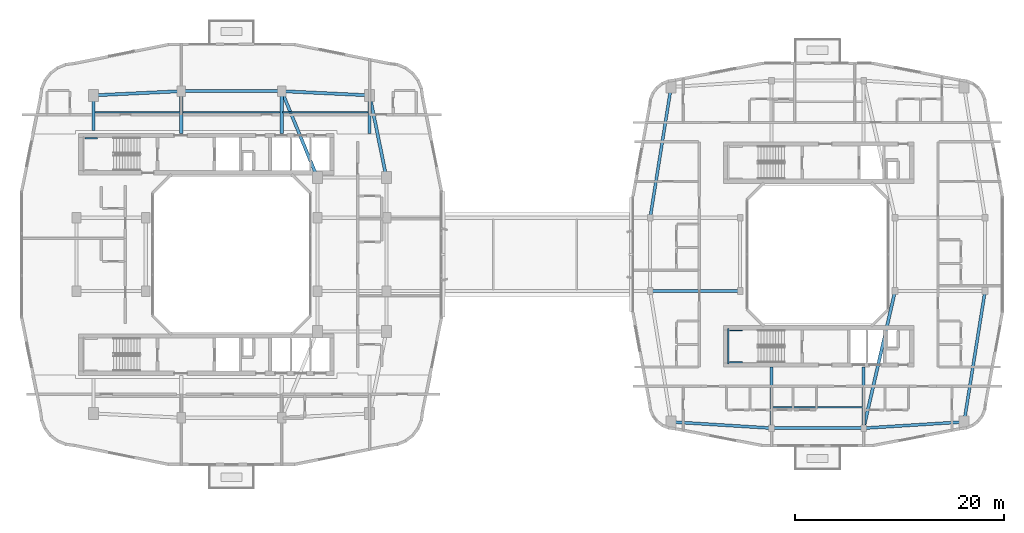
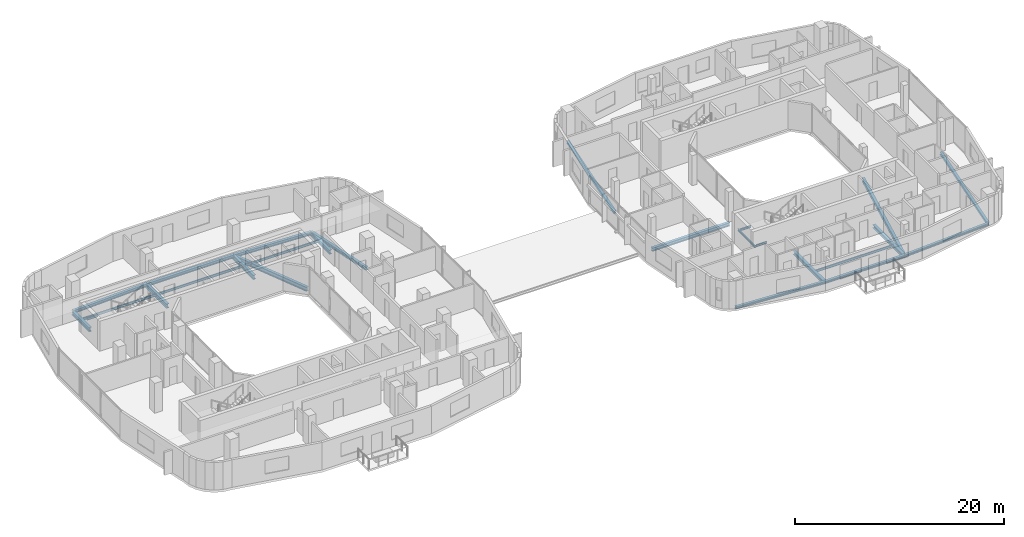
# One storey, part 5 of 22: 26 beams.
"""IFC4 building model written with IfcOpenShell, lengths in metres."""

from ifc_helpers import new_model, si_unit, derived_unit, direction, frame, origin, origin_2d, place, context, subcontext, project, spatial, i_section, extrude, material, material_profile, profile_set, type_object, element, save


model = new_model("IFC4")

# Units and contexts
model_context = context("Model", 3, precision=1e-05, world=origin(), true_north=direction((0.0, 1.0)))
body_context = subcontext(model_context, "Body", "Model", "MODEL_VIEW")
ifc_project = project(units=[si_unit("LENGTHUNIT", "METRE"), si_unit("AREAUNIT", "SQUARE_METRE"), si_unit("VOLUMEUNIT", "CUBIC_METRE"), si_unit("PLANEANGLEUNIT", "RADIAN"), si_unit("MASSUNIT", "GRAM", prefix="KILO"), derived_unit("THERMALTRANSMITTANCEUNIT", [(si_unit("POWERUNIT", "WATT"), 1), (si_unit("LENGTHUNIT", "METRE"), -2), (si_unit("THERMODYNAMICTEMPERATUREUNIT", "KELVIN"), -1)])], contexts=[model_context])

# Site, building, storey
site_placement = place(None, origin())
site = spatial("IfcSite", under=ifc_project, at=site_placement, CompositionType="ELEMENT")
building_placement = place(site_placement, origin())
building = spatial("IfcBuilding", under=site, at=building_placement, Name="Kivonza Crest Hotel", CompositionType="ELEMENT")
storey_placement = place(building_placement, frame((0.0, 0.0, 124.0)))
storey = spatial("IfcBuildingStorey", under=building, at=storey_placement, Name="L33", CompositionType="ELEMENT", Elevation=124.0)

# Beams
ifc_material = material(Name="Steel S355", Category="steel")
ifc_material_profile_1 = material_profile(ifc_material, i_section(OverallWidth=0.280029296875, OverallDepth=0.280029296875, WebThickness=0.010498046875, FlangeThickness=0.01806640625, FilletRadius=0.02392578125, at=origin_2d()), Name="HEB 280")
ifc_profile_set_1 = profile_set([ifc_material_profile_1], Name="Steel S355")
beam_type_1 = type_object("IfcBeamType", Name="BM-HEB280", PredefinedType="SPANDREL", material=ifc_profile_set_1)
beam_1_placement = place(storey_placement, frame((72.60009765625, 8.39990234375, -0.389892578125), z_axis=(1.0, 0.0, 0.0), x_axis=(0.0, 1.0, 0.0)))
element("IfcBeam", 1, at=beam_1_placement, inside=storey, type_object=beam_type_1, Name="Companion Tower T2 L33 perimeter spandrel S1-S2", PredefinedType="SPANDREL", context=body_context, shape_type="SweptSolid", body=[
    extrude(i_section(OverallWidth=0.280029296875, OverallDepth=0.280029296875, WebThickness=0.010498046875, FlangeThickness=0.01806640625, FilletRadius=0.02392578125, at=origin_2d()), origin(), (0.0, 0.0, 1.0), 8.7998046875),
])
beam_2_placement = place(storey_placement, frame((81.39990234375, 8.39990234375, -0.389892578125), z_axis=(0.998051985873, 0.062387767186, 0.0), x_axis=(-0.062387767186, 0.998051985873, 0.0)))
element("IfcBeam", 2, at=beam_2_placement, inside=storey, type_object=beam_type_1, Name="Companion Tower T2 L33 perimeter spandrel S2-SE", PredefinedType="SPANDREL", context=body_context, shape_type="SweptSolid", body=[
    extrude(i_section(OverallWidth=0.280029296875, OverallDepth=0.280029296875, WebThickness=0.010498046875, FlangeThickness=0.01806640625, FilletRadius=0.02392578125, at=origin_2d()), origin(), (0.0, 0.0, 1.0), 9.618896484375),
])
for number, where, z_axis, x_axis, name in (
    (3, (91.0, 9.0, -0.389892578125), (0.157990501107, 0.987440631917, 0.0), (-0.987440631917, 0.157990501107, 0.0), "Companion Tower T2 L33 perimeter spandrel SE-E1"),
    (4, (63.0, 41.0, -0.389892578125), (-0.157990501107, -0.987440631917, 0.0), (0.987440631917, -0.157990501107, 0.0), "Companion Tower T2 L33 perimeter spandrel NW-W2"),
):
    element("IfcBeam", number, at=place(storey_placement, frame(where, z_axis=z_axis, x_axis=x_axis)), inside=storey, type_object=beam_type_1, Name=name, PredefinedType="SPANDREL", context=body_context, shape_type="SweptSolid", body=[
        extrude(i_section(OverallWidth=0.280029296875, OverallDepth=0.280029296875, WebThickness=0.010498046875, FlangeThickness=0.01806640625, FilletRadius=0.02392578125, at=origin_2d()), origin(), (0.0, 0.0, 1.0), 12.658935546875),
    ])
beam_3_placement = place(storey_placement, frame((63.0, 9.0, -0.389892578125), z_axis=(0.998051985873, -0.062387767186, 0.0), x_axis=(0.062387767186, 0.998051985873, 0.0)))
element("IfcBeam", 5, at=beam_3_placement, inside=storey, type_object=beam_type_1, Name="Companion Tower T2 L33 perimeter spandrel SW-S1", PredefinedType="SPANDREL", context=body_context, shape_type="SweptSolid", body=[
    extrude(i_section(OverallWidth=0.280029296875, OverallDepth=0.280029296875, WebThickness=0.010498046875, FlangeThickness=0.01806640625, FilletRadius=0.02392578125, at=origin_2d()), origin(), (0.0, 0.0, 1.0), 9.618896484375),
])
ifc_material_profile_2 = material_profile(ifc_material, i_section(OverallWidth=0.300048828125, OverallDepth=0.360107421875, WebThickness=0.012451171875, FlangeThickness=0.0224609375, FilletRadius=0.027099609375, at=origin_2d()), Name="HEB 360")
ifc_profile_set_2 = profile_set([ifc_material_profile_2], Name="Steel S355")
beam_type_2 = type_object("IfcBeamType", Name="BM-HEB360", PredefinedType="SPANDREL", material=ifc_profile_set_2)
beam_4_placement = place(storey_placement, frame((35.800048828125, 32.35009765625, -0.4599609375), z_axis=(-0.199730733965, 0.979850822273, 0.0), x_axis=(-0.979850822273, -0.199730733965, 0.0)))
element("IfcBeam", 6, at=beam_4_placement, inside=storey, type_object=beam_type_2, Name="Tower T1 L33 perimeter spandrel PNE-NE", PredefinedType="SPANDREL", context=body_context, shape_type="SweptSolid", body=[
    extrude(i_section(OverallWidth=0.300048828125, OverallDepth=0.360107421875, WebThickness=0.012451171875, FlangeThickness=0.0224609375, FilletRadius=0.027099609375, at=origin_2d()), origin(), (0.0, 0.0, 1.0), 8.01123046875),
])
beam_5_placement = place(storey_placement, frame((34.199951171875, 40.199951171875, -0.4599609375), z_axis=(-0.998867283688, 0.047583080799, 0.0), x_axis=(-0.047583080799, -0.998867283688, 0.0)))
element("IfcBeam", 7, at=beam_5_placement, inside=storey, type_object=beam_type_2, Name="Tower T1 L33 perimeter spandrel NE-N2", PredefinedType="SPANDREL", context=body_context, shape_type="SweptSolid", body=[
    extrude(i_section(OverallWidth=0.300048828125, OverallDepth=0.360107421875, WebThickness=0.012451171875, FlangeThickness=0.0224609375, FilletRadius=0.027099609375, at=origin_2d()), origin(), (0.0, 0.0, 1.0), 8.409423828125),
])
beam_6_placement = place(storey_placement, frame((25.800048828125, 40.60009765625, -0.4599609375), z_axis=(-1.0, 0.0, 0.0), x_axis=(0.0, -1.0, 0.0)))
element("IfcBeam", 8, at=beam_6_placement, inside=storey, type_object=beam_type_2, Name="Tower T1 L33 perimeter spandrel N2-N1", PredefinedType="SPANDREL", context=body_context, shape_type="SweptSolid", body=[
    extrude(i_section(OverallWidth=0.300048828125, OverallDepth=0.360107421875, WebThickness=0.012451171875, FlangeThickness=0.0224609375, FilletRadius=0.027099609375, at=origin_2d()), origin(), (0.0, 0.0, 1.0), 9.60009765625),
])
beam_7_placement = place(storey_placement, frame((16.199951171875, 40.60009765625, -0.4599609375), z_axis=(-0.998867283688, -0.047583080799, 0.0), x_axis=(0.047583080799, -0.998867283688, 0.0)))
element("IfcBeam", 9, at=beam_7_placement, inside=storey, type_object=beam_type_2, Name="Tower T1 L33 perimeter spandrel N1-NW", PredefinedType="SPANDREL", context=body_context, shape_type="SweptSolid", body=[
    extrude(i_section(OverallWidth=0.300048828125, OverallDepth=0.360107421875, WebThickness=0.012451171875, FlangeThickness=0.0224609375, FilletRadius=0.027099609375, at=origin_2d()), origin(), (0.0, 0.0, 1.0), 8.409423828125),
])
ifc_material_profile_3 = material_profile(ifc_material, i_section(OverallWidth=0.300048828125, OverallDepth=0.39990234375, WebThickness=0.013427734375, FlangeThickness=0.02392578125, FilletRadius=0.027099609375, at=origin_2d()), Name="HEB 400")
ifc_profile_set_3 = profile_set([ifc_material_profile_3], Name="Steel S355")
beam_type_3 = type_object("IfcBeamType", Name="BM-HEB400", PredefinedType="BEAM", material=ifc_profile_set_3)
beam_8_placement = place(storey_placement, frame((61.0, 21.5, -0.449951171875), z_axis=(1.0, 0.0, 0.0), x_axis=(0.0, 1.0, 0.0)))
element("IfcBeam", 10, at=beam_8_placement, inside=storey, type_object=beam_type_3, Name="Companion Tower T2 L33 girder W1-WL1", PredefinedType="BEAM", context=body_context, shape_type="SweptSolid", body=[
    extrude(i_section(OverallWidth=0.300048828125, OverallDepth=0.39990234375, WebThickness=0.013427734375, FlangeThickness=0.02392578125, FilletRadius=0.027099609375, at=origin_2d()), origin(), (0.0, 0.0, 1.0), 8.60009765625),
])
beam_9_placement = place(storey_placement, frame((84.39990234375, 21.5, -0.449951171875), z_axis=(-0.223227287589, -0.974766422317, 0.0), x_axis=(0.974766422317, -0.223227287589, 0.0)))
element("IfcBeam", 11, at=beam_9_placement, inside=storey, type_object=beam_type_3, Name="Companion Tower T2 L33 girder WR1-S2", PredefinedType="BEAM", context=body_context, shape_type="SweptSolid", body=[
    extrude(i_section(OverallWidth=0.300048828125, OverallDepth=0.39990234375, WebThickness=0.013427734375, FlangeThickness=0.02392578125, FilletRadius=0.027099609375, at=origin_2d()), origin(), (0.0, 0.0, 1.0), 13.439208984375),
])
for number, where, z_axis, x_axis, name in (
    (12, (72.60009765625, 8.39990234375, -0.449951171875), (0.0, 1.0, 0.0), (-1.0, 0.0, 0.0), "Companion T2 L33 radial core girder RS1"),
    (13, (81.39990234375, 8.39990234375, -0.449951171875), (0.0, 1.0, 0.0), (-1.0, 0.0, 0.0), "Companion T2 L33 radial core girder RS2"),
):
    element("IfcBeam", number, at=place(storey_placement, frame(where, z_axis=z_axis, x_axis=x_axis)), inside=storey, type_object=beam_type_3, Name=name, PredefinedType="BEAM", context=body_context, shape_type="SweptSolid", body=[
        extrude(i_section(OverallWidth=0.300048828125, OverallDepth=0.39990234375, WebThickness=0.013427734375, FlangeThickness=0.02392578125, FilletRadius=0.027099609375, at=origin_2d()), origin(), (0.0, 0.0, 1.0), 5.85009765625),
    ])
ifc_material_profile_4 = material_profile(ifc_material, i_section(OverallWidth=0.300048828125, OverallDepth=0.5, WebThickness=0.014404296875, FlangeThickness=0.028076171875, FilletRadius=0.027099609375, at=origin_2d()), Name="HEB 500")
ifc_profile_set_4 = profile_set([ifc_material_profile_4], Name="Steel S355")
beam_type_4 = type_object("IfcBeamType", Name="BM-HEB500", PredefinedType="BEAM", material=ifc_profile_set_4)
beam_10_placement = place(storey_placement, frame((25.800048828125, 40.60009765625, -0.530029296875), z_axis=(0.381022260404, -0.924565864109, 0.0), x_axis=(0.924565864109, 0.381022260404, 0.0)))
element("IfcBeam", 14, at=beam_10_placement, inside=storey, type_object=beam_type_4, Name="Tower T1 L33 primary girder N1-TNE", PredefinedType="BEAM", context=body_context, shape_type="SweptSolid", body=[
    extrude(i_section(OverallWidth=0.300048828125, OverallDepth=0.5, WebThickness=0.014404296875, FlangeThickness=0.028076171875, FilletRadius=0.027099609375, at=origin_2d()), origin(), (0.0, 0.0, 1.0), 8.923095703125),
])
beam_11_placement = place(storey_placement, frame((7.800048828125, 40.199951171875, -0.530029296875), z_axis=(0.0, -1.0, 0.0), x_axis=(1.0, 0.0, 0.0)))
element("IfcBeam", 15, at=beam_11_placement, inside=storey, type_object=beam_type_4, Name="Tower T1 L33 radial core girder RNW", PredefinedType="BEAM", context=body_context, shape_type="SweptSolid", body=[
    extrude(i_section(OverallWidth=0.300048828125, OverallDepth=0.5, WebThickness=0.014404296875, FlangeThickness=0.028076171875, FilletRadius=0.027099609375, at=origin_2d()), origin(), (0.0, 0.0, 1.0), 3.349853515625),
])
for number, where, z_axis, x_axis, name in (
    (16, (16.199951171875, 40.60009765625, -0.530029296875), (0.0, -1.0, 0.0), (1.0, 0.0, 0.0), "Tower T1 L33 radial core girder RN1"),
    (17, (25.800048828125, 40.60009765625, -0.530029296875), (0.0, -1.0, 0.0), (1.0, 0.0, 0.0), "Tower T1 L33 radial core girder RN2"),
):
    element("IfcBeam", number, at=place(storey_placement, frame(where, z_axis=z_axis, x_axis=x_axis)), inside=storey, type_object=beam_type_4, Name=name, PredefinedType="BEAM", context=body_context, shape_type="SweptSolid", body=[
        extrude(i_section(OverallWidth=0.300048828125, OverallDepth=0.5, WebThickness=0.014404296875, FlangeThickness=0.028076171875, FilletRadius=0.027099609375, at=origin_2d()), origin(), (0.0, 0.0, 1.0), 4.050048828125),
    ])
beam_12_placement = place(storey_placement, frame((34.199951171875, 40.199951171875, -0.530029296875), z_axis=(0.0, -1.0, 0.0), x_axis=(1.0, 0.0, 0.0)))
element("IfcBeam", 18, at=beam_12_placement, inside=storey, type_object=beam_type_4, Name="Tower T1 L33 radial core girder RNE", PredefinedType="BEAM", context=body_context, shape_type="SweptSolid", body=[
    extrude(i_section(OverallWidth=0.300048828125, OverallDepth=0.5, WebThickness=0.014404296875, FlangeThickness=0.028076171875, FilletRadius=0.027099609375, at=origin_2d()), origin(), (0.0, 0.0, 1.0), 3.64990234375),
])
ifc_material_profile_5 = material_profile(ifc_material, i_section(OverallWidth=0.135009765625, OverallDepth=0.27001953125, WebThickness=0.006591796875, FlangeThickness=0.01025390625, FilletRadius=0.014892578125, at=origin_2d()), Name="IPE 270")
ifc_profile_set_5 = profile_set([ifc_material_profile_5], Name="Steel S355")
beam_type_5 = type_object("IfcBeamType", Name="BM-IPE270", PredefinedType="JOIST", material=ifc_profile_set_5)
beam_13_placement = place(storey_placement, frame((7.8798828125, 38.60009765625, -0.4150390625), z_axis=(1.0, 0.0, 0.0), x_axis=(0.0, 1.0, 0.0)))
element("IfcBeam", 19, at=beam_13_placement, inside=storey, type_object=beam_type_5, Name="Tower T1 L33 North-West floor joist", PredefinedType="JOIST", context=body_context, shape_type="SweptSolid", body=[
    extrude(i_section(OverallWidth=0.135009765625, OverallDepth=0.27001953125, WebThickness=0.006591796875, FlangeThickness=0.01025390625, FilletRadius=0.014892578125, at=origin_2d()), origin(), (0.0, 0.0, 1.0), 8.240234375),
])
beam_14_placement = place(storey_placement, frame((16.280029296875, 38.60009765625, -0.4150390625), z_axis=(1.0, 0.0, 0.0), x_axis=(0.0, 1.0, 0.0)))
element("IfcBeam", 20, at=beam_14_placement, inside=storey, type_object=beam_type_5, Name="Tower T1 L33 North-Mid floor joist", PredefinedType="JOIST", context=body_context, shape_type="SweptSolid", body=[
    extrude(i_section(OverallWidth=0.135009765625, OverallDepth=0.27001953125, WebThickness=0.006591796875, FlangeThickness=0.01025390625, FilletRadius=0.014892578125, at=origin_2d()), origin(), (0.0, 0.0, 1.0), 9.43994140625),
])
beam_15_placement = place(storey_placement, frame((25.8798828125, 38.60009765625, -0.4150390625), z_axis=(1.0, 0.0, 0.0), x_axis=(0.0, 1.0, 0.0)))
element("IfcBeam", 21, at=beam_15_placement, inside=storey, type_object=beam_type_5, Name="Tower T1 L33 North-East floor joist", PredefinedType="JOIST", context=body_context, shape_type="SweptSolid", body=[
    extrude(i_section(OverallWidth=0.135009765625, OverallDepth=0.27001953125, WebThickness=0.006591796875, FlangeThickness=0.01025390625, FilletRadius=0.014892578125, at=origin_2d()), origin(), (0.0, 0.0, 1.0), 8.240234375),
])
beam_16_placement = place(storey_placement, frame((72.679931640625, 10.39990234375, -0.385009765625), z_axis=(1.0, 0.0, 0.0), x_axis=(0.0, 1.0, 0.0)))
element("IfcBeam", 22, at=beam_16_placement, inside=storey, type_object=beam_type_5, Name="Companion Tower T2 L33 South floor joist", PredefinedType="JOIST", context=body_context, shape_type="SweptSolid", body=[
    extrude(i_section(OverallWidth=0.135009765625, OverallDepth=0.27001953125, WebThickness=0.006591796875, FlangeThickness=0.01025390625, FilletRadius=0.014892578125, at=origin_2d()), origin(), (0.0, 0.0, 1.0), 8.64013671875),
])
ifc_material_profile_6 = material_profile(ifc_material, i_section(OverallWidth=0.1201171875, OverallDepth=0.239990234375, WebThickness=0.006103515625, FlangeThickness=0.009765625, FilletRadius=0.014892578125, at=origin_2d()), Name="IPE 240")
ifc_profile_set_6 = profile_set([ifc_material_profile_6], Name="Steel S355")
beam_type_6 = type_object("IfcBeamType", Name="BM-LLDG-240", PredefinedType="BEAM", material=ifc_profile_set_6)
beam_17_placement = place(storey_placement, frame((6.989990234375, 36.10009765625, 1.429931640625), z_axis=(1.0, 0.0, 0.0), x_axis=(0.0, 1.0, 0.0)))
element("IfcBeam", 23, at=beam_17_placement, inside=storey, type_object=beam_type_6, Name="Stair ST-T1-N L33 North landing corbel", PredefinedType="BEAM", context=body_context, shape_type="SweptSolid", body=[
    extrude(i_section(OverallWidth=0.1201171875, OverallDepth=0.239990234375, WebThickness=0.006103515625, FlangeThickness=0.009765625, FilletRadius=0.014892578125, at=origin_2d()), origin(), (0.0, 0.0, 1.0), 1.2099609375),
])
beam_18_placement = place(storey_placement, frame((68.4599609375, 14.5400390625, 1.429931640625), z_axis=(0.0, 1.0, 0.0), x_axis=(-1.0, 0.0, 0.0)))
element("IfcBeam", 24, at=beam_18_placement, inside=storey, type_object=beam_type_6, Name="Stair ST-T2-S L33 West landing corbel", PredefinedType="BEAM", context=body_context, shape_type="SweptSolid", body=[
    extrude(i_section(OverallWidth=0.1201171875, OverallDepth=0.239990234375, WebThickness=0.006103515625, FlangeThickness=0.009765625, FilletRadius=0.014892578125, at=origin_2d()), origin(), (0.0, 0.0, 1.0), 3.35986328125),
])
for number, where, z_axis, x_axis, name in (
    (25, (68.590087890625, 14.699951171875, 1.429931640625), (1.0, 0.0, 0.0), (0.0, 1.0, 0.0), "Stair ST-T2-S L33 South landing corbel"),
    (26, (68.590087890625, 17.739990234375, 1.429931640625), (1.0, 0.0, 0.0), (0.0, 1.0, 0.0), "Stair ST-T2-S L33 North landing corbel"),
):
    element("IfcBeam", number, at=place(storey_placement, frame(where, z_axis=z_axis, x_axis=x_axis)), inside=storey, type_object=beam_type_6, Name=name, PredefinedType="BEAM", context=body_context, shape_type="SweptSolid", body=[
        extrude(i_section(OverallWidth=0.1201171875, OverallDepth=0.239990234375, WebThickness=0.006103515625, FlangeThickness=0.009765625, FilletRadius=0.014892578125, at=origin_2d()), origin(), (0.0, 0.0, 1.0), 1.2099609375),
    ])

save(model, "model.ifc")
